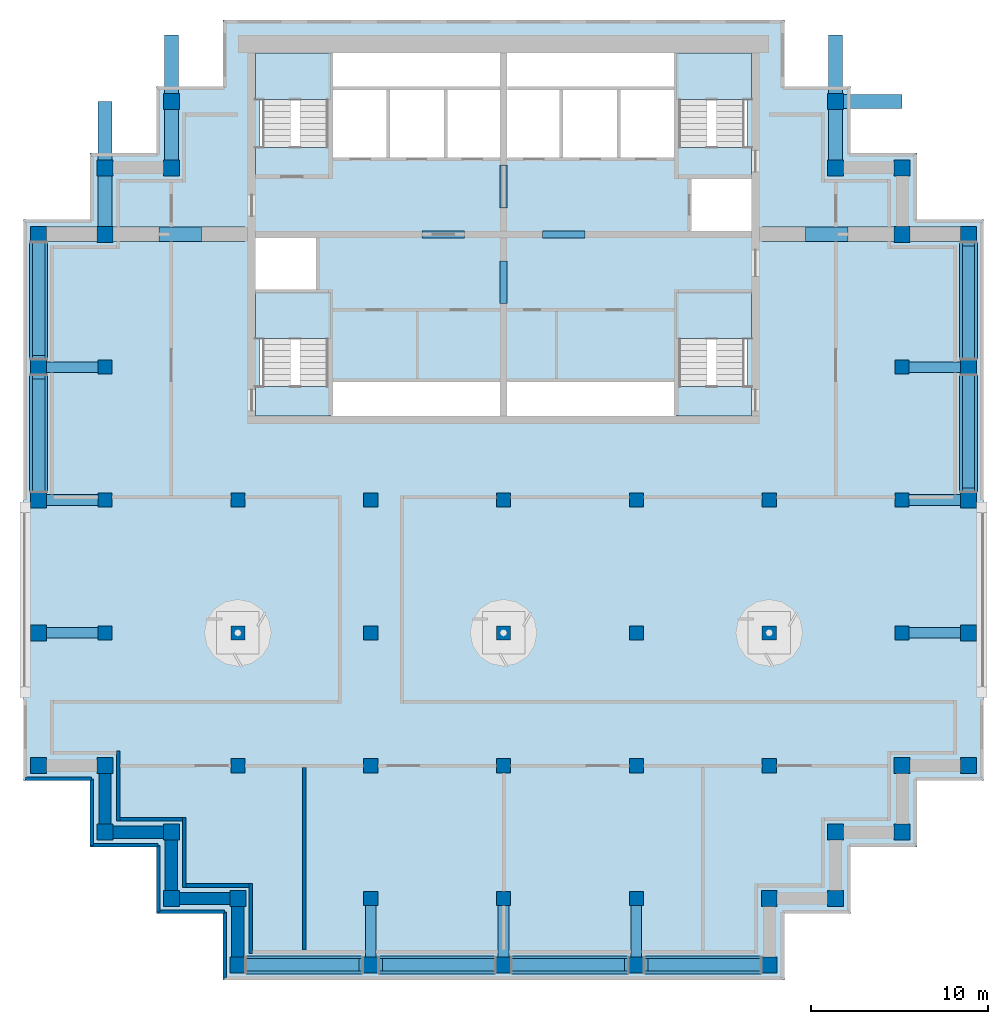
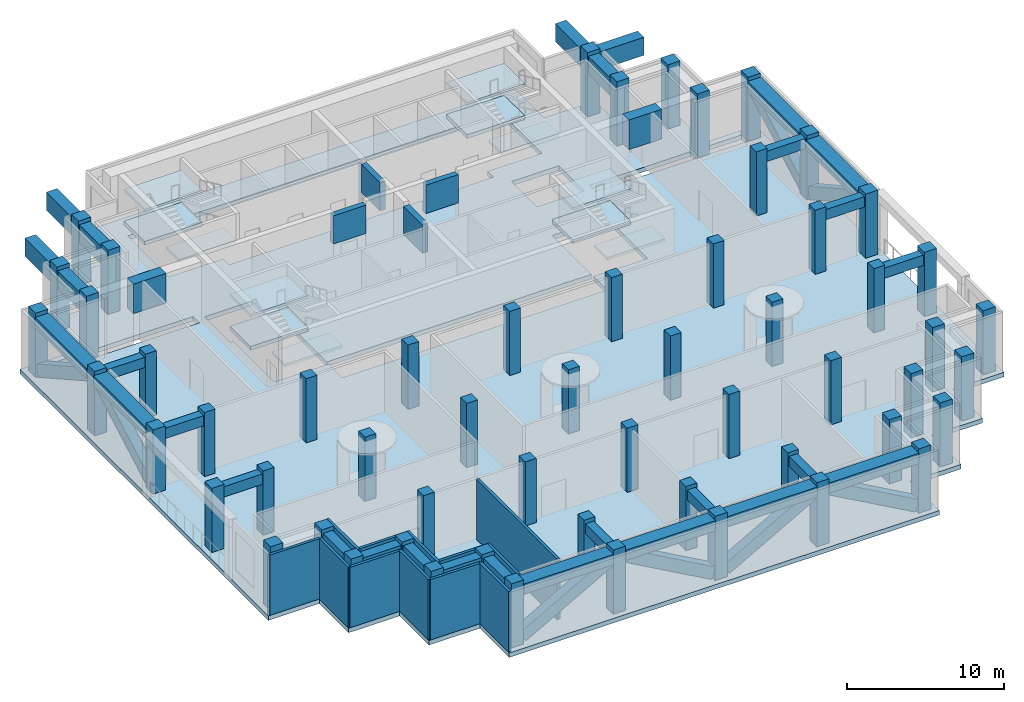
# One storey, part 1 of 8: 57 columns, 30 beams, 17 walls, 13 slabs, 8 members, 4 elements without a shape of their own.
"""IFC4 building model written with IfcOpenShell, lengths in metres."""

from ifc_helpers import new_model, si_unit, direction, frame, frame_2d, origin, origin_2d, place, context, subcontext, project, spatial, polyline, rectangle, outline, extrude, material, layer, layer_set, material_profile, profile_set, type_object, element, aggregate, save


model = new_model("IFC4")

# Units and contexts
model_context = context("Model", 3, precision=1e-05, world=origin(), true_north=direction((0.0, 1.0)))
body_context = subcontext(model_context, "Body", "Model", "MODEL_VIEW")
ifc_project = project(units=[si_unit("LENGTHUNIT", "METRE"), si_unit("AREAUNIT", "SQUARE_METRE"), si_unit("VOLUMEUNIT", "CUBIC_METRE"), si_unit("PLANEANGLEUNIT", "RADIAN"), si_unit("MASSUNIT", "GRAM", prefix="KILO")], contexts=[model_context])

# Site, building, storey
site_placement = place(None, origin())
site = spatial("IfcSite", under=ifc_project, at=site_placement, CompositionType="ELEMENT")
building_placement = place(site_placement, origin())
building = spatial("IfcBuilding", under=site, at=building_placement, Name="Pilkhan Gate Tower", CompositionType="ELEMENT")
storey_placement = place(building_placement, frame((0.0, 0.0, 253.5)))
storey = spatial("IfcBuildingStorey", under=building, at=storey_placement, Name="L66", CompositionType="ELEMENT", Elevation=253.5)

# Columns
ifc_material_1 = material(Name="Concrete C50/60", Category="concrete")
ifc_material_profile_1 = material_profile(ifc_material_1, rectangle(XDim=0.800048828125, YDim=0.800048828125, at=origin_2d()), Name="RC 800x800")
ifc_profile_set_1 = profile_set([ifc_material_profile_1], Name="Concrete C50/60")
column_type_1 = type_object("IfcColumnType", Name="Column C80 RC 800x800 C50/60", PredefinedType="COLUMN", material=ifc_profile_set_1)
for number, where, z_axis, x_axis, name in (
    (1, (52.5, 60.0, 0.0), (0.0, 0.0, 1.0), (1.0, 0.0, 0.0), "Column 5/F L66"),
    (2, (52.5, 67.5, 0.0), (0.0, 0.0, 1.0), (1.0, 0.0, 0.0), "Column 5/H L66"),
    (3, (52.5, 75.0, 0.0), (0.0, 0.0, 1.0), (1.0, 0.0, 0.0), "Column 5/K L66"),
    (4, (60.0, 52.5, 0.0), (0.0, 0.0, 1.0), (1.0, 0.0, 0.0), "Column 7/D L66"),
    (5, (60.0, 60.0, 0.0), (0.0, 0.0, 1.0), (1.0, 0.0, 0.0), "Column 7/F L66"),
    (6, (60.0, 67.5, 0.0), (0.0, 0.0, 1.0), (1.0, 0.0, 0.0), "Column 7/H L66"),
    (7, (67.5, 45.0, 0.0), (0.0, 0.0, 1.0), (1.0, 0.0, 0.0), "Column 9/B L66"),
    (8, (67.5, 52.5, 0.0), (0.0, 0.0, 1.0), (1.0, 0.0, 0.0), "Column 9/D L66"),
    (9, (67.5, 60.0, 0.0), (0.0, 0.0, 1.0), (1.0, 0.0, 0.0), "Column 9/F L66"),
    (10, (67.5, 67.5, 0.0), (0.0, 0.0, 1.0), (1.0, 0.0, 0.0), "Column 9/H L66"),
    (11, (75.0, 45.0, 0.0), (0.0, 0.0, 1.0), (1.0, 0.0, 0.0), "Column 11/B L66"),
    (12, (75.0, 52.5, 0.0), (0.0, 0.0, 1.0), (1.0, 0.0, 0.0), "Column 11/D L66"),
    (13, (75.0, 60.0, 0.0), (0.0, 0.0, 1.0), (1.0, 0.0, 0.0), "Column 11/F L66"),
    (14, (75.0, 67.5, 0.0), (0.0, 0.0, 1.0), (1.0, 0.0, 0.0), "Column 11/H L66"),
    (15, (82.5, 45.0, 0.0), (0.0, 0.0, 1.0), (1.0, 0.0, 0.0), "Column 13/B L66"),
    (16, (82.5, 52.5, 0.0), (0.0, 0.0, 1.0), (1.0, 0.0, 0.0), "Column 13/D L66"),
    (17, (82.5, 60.0, 0.0), (0.0, 0.0, 1.0), (1.0, 0.0, 0.0), "Column 13/F L66"),
    (18, (82.5, 67.5, 0.0), (0.0, 0.0, 1.0), (1.0, 0.0, 0.0), "Column 13/H L66"),
    (19, (90.0, 52.5, 0.0), (0.0, 0.0, 1.0), (1.0, 0.0, 0.0), "Column 15/D L66"),
    (20, (90.0, 60.0, 0.0), (0.0, 0.0, 1.0), (1.0, 0.0, 0.0), "Column 15/F L66"),
    (21, (90.0, 67.5, 0.0), (0.0, 0.0, 1.0), (1.0, 0.0, 0.0), "Column 15/H L66"),
    (22, (97.5, 60.0, 0.0), (0.0, 0.0, 1.0), (1.0, 0.0, 0.0), "Column 17/F L66"),
    (23, (97.5, 67.5, 0.0), (0.0, 0.0, 1.0), (1.0, 0.0, 0.0), "Column 17/H L66"),
    (24, (97.5, 75.0, 0.0), (0.0, 0.0, 1.0), (1.0, 0.0, 0.0), "Column 17/K L66"),
):
    element("IfcColumn", number, at=place(storey_placement, frame(where, z_axis=z_axis, x_axis=x_axis)), inside=storey, type_object=column_type_1, Name=name, PredefinedType="COLUMN", context=body_context, shape_type="SweptSolid", body=[
        extrude(rectangle(XDim=0.800048828125, YDim=0.800048828125, at=origin_2d()), origin(), (0.0, 0.0, 1.0), 5.0),
    ])
ifc_material_profile_2 = material_profile(ifc_material_1, rectangle(XDim=0.89990234375, YDim=0.89990234375, at=origin_2d()), Name="RC 900x900")
ifc_profile_set_2 = profile_set([ifc_material_profile_2], Name="Concrete C50/60")
column_type_2 = type_object("IfcColumnType", Name="Column C90 RC 900x900 C50/60", PredefinedType="COLUMN", material=ifc_profile_set_2)
for number, where, z_axis, x_axis, name in (
    (25, (48.75, 52.5, 0.0), (0.0, 0.0, 1.0), (1.0, 0.0, 0.0), "Column 4/D L66"),
    (26, (48.75, 60.0, 0.0), (0.0, 0.0, 1.0), (1.0, 0.0, 0.0), "Column 4/F L66"),
    (27, (48.75, 67.5, 0.0), (0.0, 0.0, 1.0), (1.0, 0.0, 0.0), "Column 4/H L66"),
    (28, (48.75, 75.0, 0.0), (0.0, 0.0, 1.0), (1.0, 0.0, 0.0), "Column 4/K L66"),
    (29, (48.75, 82.5, 0.0), (0.0, 0.0, 1.0), (1.0, 0.0, 0.0), "Column 4/M L66"),
    (30, (52.5, 48.75, 0.0), (0.0, 0.0, 1.0), (1.0, 0.0, 0.0), "Column 5/C L66"),
    (31, (52.5, 52.5, 0.0), (0.0, 0.0, 1.0), (1.0, 0.0, 0.0), "Column 5/D L66"),
    (32, (52.5, 82.5, 0.0), (0.0, 0.0, 1.0), (1.0, 0.0, 0.0), "Column 5/M L66"),
    (33, (52.5, 86.25, 0.0), (0.0, 0.0, 1.0), (1.0, 0.0, 0.0), "Column 5/N L66"),
    (34, (56.25, 45.0, 0.0), (0.0, 0.0, 1.0), (1.0, 0.0, 0.0), "Column 6/B L66"),
    (35, (56.25, 48.75, 0.0), (0.0, 0.0, 1.0), (1.0, 0.0, 0.0), "Column 6/C L66"),
    (36, (56.25, 86.25, 0.0), (0.0, 0.0, 1.0), (1.0, 0.0, 0.0), "Column 6/N L66"),
    (37, (56.25, 90.0, 0.0), (0.0, 0.0, 1.0), (1.0, 0.0, 0.0), "Column 6/P L66"),
    (38, (60.0, 41.25, 0.0), (0.0, 0.0, 1.0), (1.0, 0.0, 0.0), "Column 7/A L66"),
    (39, (60.0, 45.0, 0.0), (0.0, 0.0, 1.0), (1.0, 0.0, 0.0), "Column 7/B L66"),
    (40, (67.5, 41.25, 0.0), (0.0, 0.0, 1.0), (1.0, 0.0, 0.0), "Column 9/A L66"),
    (41, (75.0, 41.25, 0.0), (0.0, 0.0, 1.0), (1.0, 0.0, 0.0), "Column 11/A L66"),
    (42, (82.5, 41.25, 0.0), (0.0, 0.0, 1.0), (1.0, 0.0, 0.0), "Column 13/A L66"),
    (43, (90.0, 41.25, 0.0), (0.0, 0.0, 1.0), (1.0, 0.0, 0.0), "Column 15/A L66"),
    (44, (90.0, 45.0, 0.0), (0.0, 0.0, 1.0), (1.0, 0.0, 0.0), "Column 15/B L66"),
    (45, (93.75, 45.0, 0.0), (0.0, 0.0, 1.0), (1.0, 0.0, 0.0), "Column 16/B L66"),
    (46, (93.75, 48.75, 0.0), (0.0, 0.0, 1.0), (1.0, 0.0, 0.0), "Column 16/C L66"),
    (47, (93.75, 86.25, 0.0), (0.0, 0.0, 1.0), (1.0, 0.0, 0.0), "Column 16/N L66"),
    (48, (93.75, 90.0, 0.0), (0.0, 0.0, 1.0), (1.0, 0.0, 0.0), "Column 16/P L66"),
    (49, (97.5, 48.75, 0.0), (0.0, 0.0, 1.0), (1.0, 0.0, 0.0), "Column 17/C L66"),
    (50, (97.5, 52.5, 0.0), (0.0, 0.0, 1.0), (1.0, 0.0, 0.0), "Column 17/D L66"),
    (51, (97.5, 82.5, 0.0), (0.0, 0.0, 1.0), (1.0, 0.0, 0.0), "Column 17/M L66"),
    (52, (97.5, 86.25, 0.0), (0.0, 0.0, 1.0), (1.0, 0.0, 0.0), "Column 17/N L66"),
    (53, (101.25, 52.5, 0.0), (0.0, 0.0, 1.0), (1.0, 0.0, 0.0), "Column 18/D L66"),
    (54, (101.25, 60.0, 0.0), (0.0, 0.0, 1.0), (1.0, 0.0, 0.0), "Column 18/F L66"),
    (55, (101.25, 67.5, 0.0), (0.0, 0.0, 1.0), (1.0, 0.0, 0.0), "Column 18/H L66"),
    (56, (101.25, 75.0, 0.0), (0.0, 0.0, 1.0), (1.0, 0.0, 0.0), "Column 18/K L66"),
    (57, (101.25, 82.5, 0.0), (0.0, 0.0, 1.0), (1.0, 0.0, 0.0), "Column 18/M L66"),
):
    element("IfcColumn", number, at=place(storey_placement, frame(where, z_axis=z_axis, x_axis=x_axis)), inside=storey, type_object=column_type_2, Name=name, PredefinedType="COLUMN", context=body_context, shape_type="SweptSolid", body=[
        extrude(rectangle(XDim=0.89990234375, YDim=0.89990234375, at=origin_2d()), origin(), (0.0, 0.0, 1.0), 5.0),
    ])

# Members
ifc_material_2 = material(Name="Concrete C60/75", Category="concrete")
ifc_material_profile_3 = material_profile(ifc_material_2, rectangle(XDim=0.699951171875, YDim=0.89990234375, at=origin_2d()), Name="RC 700x900")
ifc_profile_set_3 = profile_set([ifc_material_profile_3], Name="Concrete C60/75")
member_type = type_object("IfcMemberType", Name="Belt diagonal BD1 RC 700x900 C60/75", PredefinedType="BRACE", material=ifc_profile_set_3)
for number, where, z_axis, x_axis, name in (
    (58, (89.550048828125, 41.25, 0.5), (-0.872286391466, 0.0, 0.488995348918), (0.0, -1.0, 0.0), "Belt diagonal 7 L66"),
    (59, (75.449951171875, 41.25, 0.5), (0.872286391466, 0.0, 0.488995348918), (0.0, 1.0, 0.0), "Belt diagonal 8 L66"),
    (60, (74.550048828125, 41.25, 0.5), (-0.872286391466, 0.0, 0.488995348918), (0.0, -1.0, 0.0), "Belt diagonal 9 L66"),
    (61, (60.449951171875, 41.25, 0.5), (0.872286391466, 0.0, 0.488995348918), (0.0, 1.0, 0.0), "Belt diagonal 10 L66"),
    (62, (48.75, 67.949951171875, 0.5), (0.0, 0.872286391466, 0.488995348918), (-1.0, 0.0, 0.0), "Belt diagonal 17 L66"),
    (63, (48.75, 82.050048828125, 0.5), (0.0, -0.872286391466, 0.488995348918), (1.0, 0.0, 0.0), "Belt diagonal 18 L66"),
    (64, (101.25, 75.449951171875, 0.5), (0.0, 0.872286391466, 0.488995348918), (-1.0, 0.0, 0.0), "Belt diagonal 22 L66"),
    (65, (101.25, 74.550048828125, 0.5), (0.0, -0.872286391466, 0.488995348918), (1.0, 0.0, 0.0), "Belt diagonal 23 L66"),
):
    element("IfcMember", number, at=place(storey_placement, frame(where, z_axis=z_axis, x_axis=x_axis)), inside=storey, type_object=member_type, Name=name, PredefinedType="BRACE", context=body_context, shape_type="SweptSolid", body=[
        extrude(rectangle(XDim=0.699951171875, YDim=0.89990234375, at=origin_2d()), origin(), (0.0, 0.0, 1.0), 7.56640625),
    ])

# Beams
ifc_material_profile_4 = material_profile(ifc_material_1, rectangle(XDim=0.39990234375, YDim=2.199951171875, at=origin_2d()), Name="RC 400x2200")
ifc_profile_set_4 = profile_set([ifc_material_profile_4], Name="Concrete C50/60")
beam_type_1 = type_object("IfcBeamType", Name="Coupling beam CB220-4 RC 400x2200 C50/60", PredefinedType="LINTEL", material=ifc_profile_set_4)
for number, where, z_axis, x_axis, name in (
    (66, (70.39990234375, 82.5, 3.60009765625), (1.0, 0.0, 0.0), (0.0, 1.0, 0.0), "Coupling beam 1 L66"),
    (67, (77.199951171875, 82.5, 3.60009765625), (1.0, 0.0, 0.0), (0.0, 1.0, 0.0), "Coupling beam 2 L66"),
):
    element("IfcBeam", number, at=place(storey_placement, frame(where, z_axis=z_axis, x_axis=x_axis)), inside=storey, type_object=beam_type_1, Name=name, PredefinedType="LINTEL", context=body_context, shape_type="SweptSolid", body=[
        extrude(rectangle(XDim=0.39990234375, YDim=2.199951171875, at=origin_2d()), origin(), (0.0, 0.0, 1.0), 2.400146484375),
    ])
for number, where, z_axis, x_axis, name in (
    (68, (75.0, 78.60009765625, 3.60009765625), (0.0, 1.0, 0.0), (-1.0, 0.0, 0.0), "Coupling beam 3 L66"),
    (69, (75.0, 84.0, 3.60009765625), (0.0, 1.0, 0.0), (-1.0, 0.0, 0.0), "Coupling beam 4 L66"),
):
    element("IfcBeam", number, at=place(storey_placement, frame(where, z_axis=z_axis, x_axis=x_axis)), inside=storey, type_object=beam_type_1, Name=name, PredefinedType="LINTEL", context=body_context, shape_type="SweptSolid", body=[
        extrude(rectangle(XDim=0.39990234375, YDim=2.199951171875, at=origin_2d()), origin(), (0.0, 0.0, 1.0), 2.39990234375),
    ])
ifc_material_profile_5 = material_profile(ifc_material_2, rectangle(XDim=0.800048828125, YDim=2.300048828125, at=origin_2d()), Name="RC 800x2300")
ifc_profile_set_5 = profile_set([ifc_material_profile_5], Name="Concrete C60/75")
beam_type_2 = type_object("IfcBeamType", Name="Coupling beam CB230 RC 800x2300 C60/75", PredefinedType="LINTEL", material=ifc_profile_set_5)
for number, where, z_axis, x_axis, name in (
    (70, (92.050048828125, 82.5, 3.550048828125), (1.0, 0.0, 0.0), (0.0, 1.0, 0.0), "Outrigger coupling beam L66"),
    (71, (55.550048828125, 82.5, 3.550048828125), (1.0, 0.0, 0.0), (0.0, 1.0, 0.0), "Outrigger coupling beam L66"),
):
    element("IfcBeam", number, at=place(storey_placement, frame(where, z_axis=z_axis, x_axis=x_axis)), inside=storey, type_object=beam_type_2, Name=name, PredefinedType="LINTEL", context=body_context, shape_type="SweptSolid", body=[
        extrude(rectangle(XDim=0.800048828125, YDim=2.300048828125, at=origin_2d()), origin(), (0.0, 0.0, 1.0), 2.39990234375),
    ])
ifc_material_profile_6 = material_profile(ifc_material_1, rectangle(XDim=1.0, YDim=0.800048828125, at=origin_2d()), Name="RC 1000x800")
ifc_profile_set_6 = profile_set([ifc_material_profile_6], Name="Concrete C50/60")
beam_type_3 = type_object("IfcBeamType", Name="Terrace edge beam TEB10W RC 1000x800 C50/60", PredefinedType="BEAM", material=ifc_profile_set_6)
for number, where, z_axis, x_axis, name in (
    (72, (89.550048828125, 41.25, 4.300048828125), (-1.0, 0.0, 0.0), (0.0, -1.0, 0.0), "Terrace edge beam 1 L67"),
    (73, (82.050048828125, 41.25, 4.300048828125), (-1.0, 0.0, 0.0), (0.0, -1.0, 0.0), "Terrace edge beam 2 L67"),
    (74, (74.550048828125, 41.25, 4.300048828125), (-1.0, 0.0, 0.0), (0.0, -1.0, 0.0), "Terrace edge beam 3 L67"),
    (75, (67.050048828125, 41.25, 4.300048828125), (-1.0, 0.0, 0.0), (0.0, -1.0, 0.0), "Terrace edge beam 4 L67"),
    (76, (48.75, 67.949951171875, 4.300048828125), (0.0, 1.0, 0.0), (-1.0, 0.0, 0.0), "Terrace edge beam 5 L67"),
    (77, (48.75, 75.449951171875, 4.300048828125), (0.0, 1.0, 0.0), (-1.0, 0.0, 0.0), "Terrace edge beam 6 L67"),
    (78, (101.25, 82.050048828125, 4.300048828125), (0.0, -1.0, 0.0), (1.0, 0.0, 0.0), "Terrace edge beam 7 L67"),
    (79, (101.25, 74.550048828125, 4.300048828125), (0.0, -1.0, 0.0), (1.0, 0.0, 0.0), "Terrace edge beam 8 L67"),
):
    element("IfcBeam", number, at=place(storey_placement, frame(where, z_axis=z_axis, x_axis=x_axis)), inside=storey, type_object=beam_type_3, Name=name, PredefinedType="BEAM", context=body_context, shape_type="SweptSolid", body=[
        extrude(rectangle(XDim=1.0, YDim=0.800048828125, at=origin_2d()), origin(), (0.0, 0.0, 1.0), 6.60009765625),
    ])
ifc_material_profile_7 = material_profile(ifc_material_1, rectangle(XDim=0.60009765625, YDim=0.800048828125, at=origin_2d()), Name="RC 600x800")
ifc_profile_set_7 = profile_set([ifc_material_profile_7], Name="Concrete C50/60")
beam_type_4 = type_object("IfcBeamType", Name="Terrace tie beam TTB RC 600x800 C50/60", PredefinedType="BEAM", material=ifc_profile_set_7)
for number, where, z_axis, x_axis, name in (
    (80, (82.5, 41.699951171875, 4.300048828125), (0.0, 1.0, 0.0), (-1.0, 0.0, 0.0), "Terrace tie beam 1 L67"),
    (81, (75.0, 41.699951171875, 4.300048828125), (0.0, 1.0, 0.0), (-1.0, 0.0, 0.0), "Terrace tie beam 2 L67"),
    (82, (67.5, 41.699951171875, 4.300048828125), (0.0, 1.0, 0.0), (-1.0, 0.0, 0.0), "Terrace tie beam 3 L67"),
    (83, (49.199951171875, 60.0, 4.300048828125), (1.0, 0.0, 0.0), (0.0, 1.0, 0.0), "Terrace tie beam 4 L67"),
    (84, (49.199951171875, 67.5, 4.300048828125), (1.0, 0.0, 0.0), (0.0, 1.0, 0.0), "Terrace tie beam 5 L67"),
    (85, (49.199951171875, 75.0, 4.300048828125), (1.0, 0.0, 0.0), (0.0, 1.0, 0.0), "Terrace tie beam 6 L67"),
    (86, (100.800048828125, 75.0, 4.300048828125), (-1.0, 0.0, 0.0), (0.0, -1.0, 0.0), "Terrace tie beam 7 L67"),
    (87, (100.800048828125, 67.5, 4.300048828125), (-1.0, 0.0, 0.0), (0.0, -1.0, 0.0), "Terrace tie beam 8 L67"),
    (88, (100.800048828125, 60.0, 4.300048828125), (-1.0, 0.0, 0.0), (0.0, -1.0, 0.0), "Terrace tie beam 9 L67"),
):
    element("IfcBeam", number, at=place(storey_placement, frame(where, z_axis=z_axis, x_axis=x_axis)), inside=storey, type_object=beam_type_4, Name=name, PredefinedType="BEAM", context=body_context, shape_type="SweptSolid", body=[
        extrude(rectangle(XDim=0.60009765625, YDim=0.800048828125, at=origin_2d()), origin(), (0.0, 0.0, 1.0), 2.900146484375),
    ])
ifc_material_3 = material(Name="Concrete C70/85", Category="concrete")
ifc_material_profile_8 = material_profile(ifc_material_3, rectangle(XDim=0.800048828125, YDim=1.39990234375, at=origin_2d()), Name="RC 800x1400")
ifc_profile_set_8 = profile_set([ifc_material_profile_8], Name="Concrete C70/85")
beam_type_5 = type_object("IfcBeamType", Name="Transfer girder back-span TG4B14 RC 800x1400 C70/85", PredefinedType="BEAM", material=ifc_profile_set_8)
for number, where, z_axis, x_axis, name in (
    (89, (52.5, 85.85009765625, 4.0), (0.0, -1.0, 0.0), (1.0, 0.0, 0.0), "Transfer girder back-span 1 L66"),
    (90, (56.25, 89.60009765625, 4.0), (0.0, -1.0, 0.0), (1.0, 0.0, 0.0), "Transfer girder back-span 2 L66"),
    (91, (93.75, 89.60009765625, 4.0), (0.0, -1.0, 0.0), (1.0, 0.0, 0.0), "Transfer girder back-span 3 L66"),
):
    element("IfcBeam", number, at=place(storey_placement, frame(where, z_axis=z_axis, x_axis=x_axis)), inside=storey, type_object=beam_type_5, Name=name, PredefinedType="BEAM", context=body_context, shape_type="SweptSolid", body=[
        extrude(rectangle(XDim=0.800048828125, YDim=1.39990234375, at=origin_2d()), origin(), (0.0, 0.0, 1.0), 2.9501953125),
    ])
ifc_material_profile_9 = material_profile(ifc_material_3, rectangle(XDim=0.800048828125, YDim=1.39990234375, at=origin_2d()), Name="RC 800x1400")
ifc_profile_set_9 = profile_set([ifc_material_profile_9], Name="Concrete C70/85")
beam_type_6 = type_object("IfcBeamType", Name="Transfer girder tip TG4T14 RC 800x1400 C70/85", PredefinedType="BEAM", material=ifc_profile_set_9)
for number, where, z_axis, x_axis, name in (
    (92, (52.5, 90.0, 4.0), (0.0, -1.0, 0.0), (1.0, 0.0, 0.0), "Transfer girder 1 L66"),
    (93, (56.25, 93.75, 4.0), (0.0, -1.0, 0.0), (1.0, 0.0, 0.0), "Transfer girder 2 L66"),
    (94, (93.75, 93.75, 4.0), (0.0, -1.0, 0.0), (1.0, 0.0, 0.0), "Transfer girder 3 L66"),
    (95, (97.5, 90.0, 4.0), (-1.0, 0.0, 0.0), (0.0, -1.0, 0.0), "Transfer girder 4 L66"),
):
    element("IfcBeam", number, at=place(storey_placement, frame(where, z_axis=z_axis, x_axis=x_axis)), inside=storey, type_object=beam_type_6, Name=name, PredefinedType="BEAM", context=body_context, shape_type="SweptSolid", body=[
        extrude(rectangle(XDim=0.800048828125, YDim=1.39990234375, at=origin_2d()), origin(), (0.0, 0.0, 1.0), 3.300048828125),
    ])

# Slab
ifc_material_4 = material(Name="Concrete C40/50", Category="concrete")
ifc_layer_1 = layer(ifc_material_4, 0.35009765625)
ifc_layer_set_1 = layer_set([ifc_layer_1], Name="Flat plate slab FP350")
slab_type_1 = type_object("IfcSlabType", Name="Flat plate slab FP350", PredefinedType="FLOOR", material=ifc_layer_set_1)
slab_1_placement = place(storey_placement, frame((0.0, 0.0, -0.35009765625)))
element("IfcSlab", 96, at=slab_1_placement, inside=storey, type_object=slab_type_1, Name="Floor slab L66", PredefinedType="FLOOR", context=body_context, shape_type="SweptSolid", body=[
    extrude(outline(polyline([(98.35009765625, 47.89990234375), (94.60009765625, 47.89990234375), (94.60009765625, 44.14990234375), (90.85009765625, 44.14990234375), (90.85009765625, 40.39990234375), (59.14990234375, 40.39990234375), (59.14990234375, 44.14990234375), (55.39990234375, 44.14990234375), (55.39990234375, 47.89990234375), (51.64990234375, 47.89990234375), (51.64990234375, 51.64990234375), (47.89990234375, 51.64990234375), (47.89990234375, 83.35009765625), (51.64990234375, 83.35009765625), (51.64990234375, 87.10009765625), (55.39990234375, 87.10009765625), (55.39990234375, 90.85009765625), (59.14990234375, 90.85009765625), (59.14990234375, 94.60009765625), (90.85009765625, 94.60009765625), (90.85009765625, 90.85009765625), (94.60009765625, 90.85009765625), (94.60009765625, 87.10009765625), (98.35009765625, 87.10009765625), (98.35009765625, 83.35009765625), (102.10009765625, 83.35009765625), (102.10009765625, 51.64990234375), (98.35009765625, 51.64990234375), (98.35009765625, 47.89990234375)]), holes=[polyline([(100.800048828125, 82.89990234375), (97.949951171875, 82.89990234375), (97.949951171875, 82.10009765625), (100.800048828125, 82.10009765625), (100.800048828125, 82.89990234375)]), polyline([(89.60009765625, 82.89990234375), (89.60009765625, 82.10009765625), (97.050048828125, 82.10009765625), (97.050048828125, 82.89990234375), (89.60009765625, 82.89990234375)]), polyline([(65.25, 87.5), (65.25, 86.75), (68.5, 86.75), (71.75, 86.75), (75.0, 86.75), (78.25, 86.75), (81.5, 86.75), (84.75, 86.75), (84.75, 87.5), (88.75, 87.5), (88.75, 92.75), (84.75, 92.75), (75.0, 92.75), (65.25, 92.75), (61.25, 92.75), (61.25, 87.5), (65.25, 87.5)]), polyline([(75.0, 72.25), (84.75, 72.25), (84.75, 74.0), (88.75, 74.0), (88.75, 79.25), (84.75, 79.25), (84.75, 74.25), (75.0, 74.25), (65.25, 74.25), (65.25, 79.25), (64.5, 79.25), (64.5, 82.5), (61.25, 82.5), (61.0, 82.5), (61.0, 79.25), (61.25, 79.25), (61.25, 74.0), (65.25, 74.0), (65.25, 72.25), (75.0, 72.25)]), polyline([(85.5, 85.75), (85.5, 82.5), (88.75, 82.5), (89.0, 82.5), (89.0, 85.75), (88.75, 85.75), (85.5, 85.75)]), polyline([(60.39990234375, 82.89990234375), (52.949951171875, 82.89990234375), (52.949951171875, 82.10009765625), (60.39990234375, 82.10009765625), (60.39990234375, 82.89990234375)]), polyline([(52.050048828125, 82.89990234375), (49.199951171875, 82.89990234375), (49.199951171875, 82.10009765625), (52.050048828125, 82.10009765625), (52.050048828125, 82.89990234375)])]), origin(), (0.0, 0.0, 1.0), 0.35009765625),
])

# Stair, slabs
ifc_material_5 = material(Name="Concrete C40/50 precast", Category="concrete")
stair_type_1 = type_object("IfcStairType", Name="Stair ST1 139x340", PredefinedType="HALF_TURN_STAIR", material=ifc_material_5)
stair_1_placement = place(storey_placement, origin())
stair_1 = element("IfcStair", 97, at=stair_1_placement, inside=storey, type_object=stair_type_1, Name="Stair ST1 L66", PredefinedType="HALF_TURN_STAIR")
ifc_layer_2 = layer(ifc_material_4, 0.199951171875)
ifc_layer_set_2 = layer_set([ifc_layer_2], Name="Stair landing SL200")
slab_type_2 = type_object("IfcSlabType", Name="Stair landing SL200", PredefinedType="LANDING", material=ifc_layer_set_2)
slab_2_placement = place(storey_placement, frame((0.0, 0.0, 0.949951171875)))
slab_2 = element("IfcSlab", 98, at=slab_2_placement, type_object=slab_type_2, Name="ST1 landing 1", PredefinedType="LANDING", context=body_context, shape_type="SweptSolid", body=[
    extrude(outline(polyline([(89.0, 76.6201171875), (89.0, 79.25), (84.75, 79.25), (84.75, 76.6201171875), (89.0, 76.6201171875)])), origin(), (0.0, 0.0, 1.0), 0.300048828125),
])
slab_3_placement = place(storey_placement, frame((0.0, 0.0, 2.300048828125)))
slab_3 = element("IfcSlab", 99, at=slab_3_placement, type_object=slab_type_2, Name="ST1 landing 2", PredefinedType="LANDING", context=body_context, shape_type="SweptSolid", body=[
    extrude(outline(polyline([(89.0, 72.25), (89.0, 73.89990234375), (84.75, 73.89990234375), (84.75, 72.25), (89.0, 72.25)])), origin(), (0.0, 0.0, 1.0), 0.199951171875),
])
slab_4_placement = place(storey_placement, frame((0.0, 0.0, 3.550048828125)))
slab_4 = element("IfcSlab", 100, at=slab_4_placement, type_object=slab_type_2, Name="ST1 landing 3", PredefinedType="LANDING", context=body_context, shape_type="SweptSolid", body=[
    extrude(outline(polyline([(89.0, 76.6201171875), (89.0, 79.25), (84.75, 79.25), (84.75, 76.6201171875), (89.0, 76.6201171875)])), origin(), (0.0, 0.0, 1.0), 0.199951171875),
])
aggregate(stair_1, [slab_2, slab_3, slab_4])

stair_type_2 = type_object("IfcStairType", Name="Stair ST2 139x340", PredefinedType="HALF_TURN_STAIR", material=ifc_material_5)
stair_2_placement = place(storey_placement, origin())
stair_2 = element("IfcStair", 101, at=stair_2_placement, inside=storey, type_object=stair_type_2, Name="Stair ST2 L66", PredefinedType="HALF_TURN_STAIR")
slab_5_placement = place(storey_placement, frame((0.0, 0.0, 0.949951171875)))
slab_5 = element("IfcSlab", 102, at=slab_5_placement, type_object=slab_type_2, Name="ST2 landing 1", PredefinedType="LANDING", context=body_context, shape_type="SweptSolid", body=[
    extrude(outline(polyline([(65.25, 76.6201171875), (65.25, 79.25), (61.0, 79.25), (61.0, 76.6201171875), (65.25, 76.6201171875)])), origin(), (0.0, 0.0, 1.0), 0.300048828125),
])
slab_6_placement = place(storey_placement, frame((0.0, 0.0, 2.300048828125)))
slab_6 = element("IfcSlab", 103, at=slab_6_placement, type_object=slab_type_2, Name="ST2 landing 2", PredefinedType="LANDING", context=body_context, shape_type="SweptSolid", body=[
    extrude(outline(polyline([(65.25, 72.25), (65.25, 73.89990234375), (61.0, 73.89990234375), (61.0, 72.25), (65.25, 72.25)])), origin(), (0.0, 0.0, 1.0), 0.199951171875),
])
slab_7_placement = place(storey_placement, frame((0.0, 0.0, 3.550048828125)))
slab_7 = element("IfcSlab", 104, at=slab_7_placement, type_object=slab_type_2, Name="ST2 landing 3", PredefinedType="LANDING", context=body_context, shape_type="SweptSolid", body=[
    extrude(outline(polyline([(65.25, 76.6201171875), (65.25, 79.25), (61.0, 79.25), (61.0, 76.6201171875), (65.25, 76.6201171875)])), origin(), (0.0, 0.0, 1.0), 0.199951171875),
])
aggregate(stair_2, [slab_5, slab_6, slab_7])

stair_type_3 = type_object("IfcStairType", Name="Stair ST3 139x340", PredefinedType="HALF_TURN_STAIR", material=ifc_material_5)
stair_3_placement = place(storey_placement, origin())
stair_3 = element("IfcStair", 105, at=stair_3_placement, inside=storey, type_object=stair_type_3, Name="Stair ST3 L66", PredefinedType="HALF_TURN_STAIR")
slab_8_placement = place(storey_placement, frame((0.0, 0.0, 0.949951171875)))
slab_8 = element("IfcSlab", 106, at=slab_8_placement, type_object=slab_type_2, Name="ST3 landing 1", PredefinedType="LANDING", context=body_context, shape_type="SweptSolid", body=[
    extrude(outline(polyline([(65.25, 90.1201171875), (65.25, 92.75), (61.0, 92.75), (61.0, 90.1201171875), (65.25, 90.1201171875)])), origin(), (0.0, 0.0, 1.0), 0.300048828125),
])
slab_9_placement = place(storey_placement, frame((0.0, 0.0, 2.300048828125)))
slab_9 = element("IfcSlab", 107, at=slab_9_placement, type_object=slab_type_2, Name="ST3 landing 2", PredefinedType="LANDING", context=body_context, shape_type="SweptSolid", body=[
    extrude(outline(polyline([(65.25, 85.75), (65.25, 87.39990234375), (61.0, 87.39990234375), (61.0, 85.75), (65.25, 85.75)])), origin(), (0.0, 0.0, 1.0), 0.199951171875),
])
slab_10_placement = place(storey_placement, frame((0.0, 0.0, 3.550048828125)))
slab_10 = element("IfcSlab", 108, at=slab_10_placement, type_object=slab_type_2, Name="ST3 landing 3", PredefinedType="LANDING", context=body_context, shape_type="SweptSolid", body=[
    extrude(outline(polyline([(65.25, 90.1201171875), (65.25, 92.75), (61.0, 92.75), (61.0, 90.1201171875), (65.25, 90.1201171875)])), origin(), (0.0, 0.0, 1.0), 0.199951171875),
])
aggregate(stair_3, [slab_8, slab_9, slab_10])

stair_type_4 = type_object("IfcStairType", Name="Stair ST4 139x340", PredefinedType="HALF_TURN_STAIR", material=ifc_material_5)
stair_4_placement = place(storey_placement, origin())
stair_4 = element("IfcStair", 109, at=stair_4_placement, inside=storey, type_object=stair_type_4, Name="Stair ST4 L66", PredefinedType="HALF_TURN_STAIR")
slab_11_placement = place(storey_placement, frame((0.0, 0.0, 0.949951171875)))
slab_11 = element("IfcSlab", 110, at=slab_11_placement, type_object=slab_type_2, Name="ST4 landing 1", PredefinedType="LANDING", context=body_context, shape_type="SweptSolid", body=[
    extrude(outline(polyline([(89.0, 90.1201171875), (89.0, 92.75), (84.75, 92.75), (84.75, 90.1201171875), (89.0, 90.1201171875)])), origin(), (0.0, 0.0, 1.0), 0.300048828125),
])
slab_12_placement = place(storey_placement, frame((0.0, 0.0, 2.300048828125)))
slab_12 = element("IfcSlab", 111, at=slab_12_placement, type_object=slab_type_2, Name="ST4 landing 2", PredefinedType="LANDING", context=body_context, shape_type="SweptSolid", body=[
    extrude(outline(polyline([(89.0, 85.75), (89.0, 87.39990234375), (84.75, 87.39990234375), (84.75, 85.75), (89.0, 85.75)])), origin(), (0.0, 0.0, 1.0), 0.199951171875),
])
slab_13_placement = place(storey_placement, frame((0.0, 0.0, 3.550048828125)))
slab_13 = element("IfcSlab", 112, at=slab_13_placement, type_object=slab_type_2, Name="ST4 landing 3", PredefinedType="LANDING", context=body_context, shape_type="SweptSolid", body=[
    extrude(outline(polyline([(89.0, 90.1201171875), (89.0, 92.75), (84.75, 92.75), (84.75, 90.1201171875), (89.0, 90.1201171875)])), origin(), (0.0, 0.0, 1.0), 0.199951171875),
])
aggregate(stair_4, [slab_11, slab_12, slab_13])

# Walls
ifc_layer_3 = layer(ifc_material_2, 0.699951171875)
ifc_layer_set_3 = layer_set([ifc_layer_3], Name="Belt wall BW700 C60/75")
wall_type_1 = type_object("IfcWallType", Name="Belt wall BW700 C60/75", PredefinedType="SHEAR", material=ifc_layer_set_3)
for number, where, z_axis, x_axis, name in (
    (113, (60.0, 41.699951171875, 0.0), (0.0, 0.0, 1.0), (0.0, 1.0, 0.0), "Belt wall 11 L66"),
    (114, (59.550048828125, 45.0, 0.0), (0.0, 0.0, 1.0), (-1.0, 0.0, 0.0), "Belt wall 12 L66"),
    (115, (56.25, 45.449951171875, 0.0), (0.0, 0.0, 1.0), (0.0, 1.0, 0.0), "Belt wall 13 L66"),
    (116, (55.800048828125, 48.75, 0.0), (0.0, 0.0, 1.0), (-1.0, 0.0, 0.0), "Belt wall 14 L66"),
    (117, (52.5, 49.199951171875, 0.0), (0.0, 0.0, 1.0), (0.0, 1.0, 0.0), "Belt wall 15 L66"),
):
    element("IfcWall", number, at=place(storey_placement, frame(where, z_axis=z_axis, x_axis=x_axis)), inside=storey, type_object=wall_type_1, Name=name, PredefinedType="SHEAR", context=body_context, shape_type="SweptSolid", body=[
        extrude(rectangle(XDim=2.85009765625, YDim=0.699951171875, at=frame_2d((1.425048828125, 0.0))), origin(), (0.0, 0.0, 1.0), 4.699951171875),
    ])
ifc_material_6 = material(Name="Dense blockwork", Category="masonry")
ifc_layer_4 = layer(ifc_material_6, 0.199951171875)
ifc_layer_set_4 = layer_set([ifc_layer_4], Name="Lobby wall LW200")
wall_type_2 = type_object("IfcWallType", Name="Lobby wall LW200", PredefinedType="PARTITIONING", material=ifc_layer_set_4)
for number, where, z_axis, x_axis, name in (
    (118, (57.0849609375, 45.735107421875, 0.0), (0.0, 0.0, 1.0), (1.0, 0.0, 0.0), "Partition L66"),
    (119, (53.3349609375, 49.485107421875, 0.0), (0.0, 0.0, 1.0), (1.0, 0.0, 0.0), "Partition L66"),
):
    element("IfcWall", number, at=place(storey_placement, frame(where, z_axis=z_axis, x_axis=x_axis)), inside=storey, type_object=wall_type_2, Name=name, PredefinedType="PARTITIONING", context=body_context, shape_type="SweptSolid", body=[
        extrude(rectangle(XDim=3.550048828125, YDim=0.199951171875, at=frame_2d((1.77490234375, 0.0))), origin(), (0.0, 0.0, 1.0), 4.699951171875),
    ])
for number, where, z_axis, x_axis, name in (
    (120, (53.235107421875, 49.385009765625, 0.0), (0.0, 0.0, 1.0), (0.0, 1.0, 0.0), "Partition L66"),
    (121, (56.985107421875, 45.635009765625, 0.0), (0.0, 0.0, 1.0), (0.0, 1.0, 0.0), "Partition L66"),
    (122, (60.735107421875, 41.885009765625, 0.0), (0.0, 0.0, 1.0), (0.0, 1.0, 0.0), "Partition L66"),
):
    element("IfcWall", number, at=place(storey_placement, frame(where, z_axis=z_axis, x_axis=x_axis)), inside=storey, type_object=wall_type_2, Name=name, PredefinedType="PARTITIONING", context=body_context, shape_type="SweptSolid", body=[
        extrude(rectangle(XDim=3.949951171875, YDim=0.199951171875, at=frame_2d((1.97509765625, 0.0))), origin(), (0.0, 0.0, 1.0), 4.699951171875),
    ])
wall_placement = place(storey_placement, frame((63.75, 42.0849609375, 0.0), z_axis=(0.0, 0.0, 1.0), x_axis=(0.0, 1.0, 0.0)))
element("IfcWall", 123, at=wall_placement, inside=storey, type_object=wall_type_2, Name="Partition L66", PredefinedType="PARTITIONING", context=body_context, shape_type="SweptSolid", body=[
    extrude(rectangle(XDim=10.31494140625, YDim=0.199951171875, at=frame_2d((5.157470703125, 0.0))), origin(), (0.0, 0.0, 1.0), 4.699951171875),
])
ifc_material_7 = material(Name="Pale anodised aluminium cladding", Category="aluminium")
ifc_layer_5 = layer(ifc_material_7, 0.199951171875)
ifc_layer_set_5 = layer_set([ifc_layer_5], Name="Plant screen wall PS200")
wall_type_3 = type_object("IfcWallType", Name="Plant screen wall PS200", PredefinedType="SOLIDWALL", material=ifc_layer_set_5)
for number, where, z_axis, x_axis, name in (
    (124, (48.0, 51.75, 0.0), (0.0, 0.0, 1.0), (1.0, 0.0, 0.0), "Plant screen wall L66 S"),
    (125, (51.75, 48.0, 0.0), (0.0, 0.0, 1.0), (0.0, 1.0, 0.0), "Plant screen wall L66 W"),
    (126, (51.75, 48.0, 0.0), (0.0, 0.0, 1.0), (1.0, 0.0, 0.0), "Plant screen wall L66 S"),
    (127, (55.5, 44.25, 0.0), (0.0, 0.0, 1.0), (0.0, 1.0, 0.0), "Plant screen wall L66 W"),
    (128, (55.5, 44.25, 0.0), (0.0, 0.0, 1.0), (1.0, 0.0, 0.0), "Plant screen wall L66 S"),
    (129, (59.25, 40.5, 0.0), (0.0, 0.0, 1.0), (0.0, 1.0, 0.0), "Plant screen wall L66 W"),
):
    element("IfcWall", number, at=place(storey_placement, frame(where, z_axis=z_axis, x_axis=x_axis)), inside=storey, type_object=wall_type_3, Name=name, PredefinedType="SOLIDWALL", context=body_context, shape_type="SweptSolid", body=[
        extrude(rectangle(XDim=3.75, YDim=0.199951171875, at=frame_2d((1.875, 0.0))), origin(), (0.0, 0.0, 1.0), 4.699951171875),
    ])

save(model, "model.ifc")
